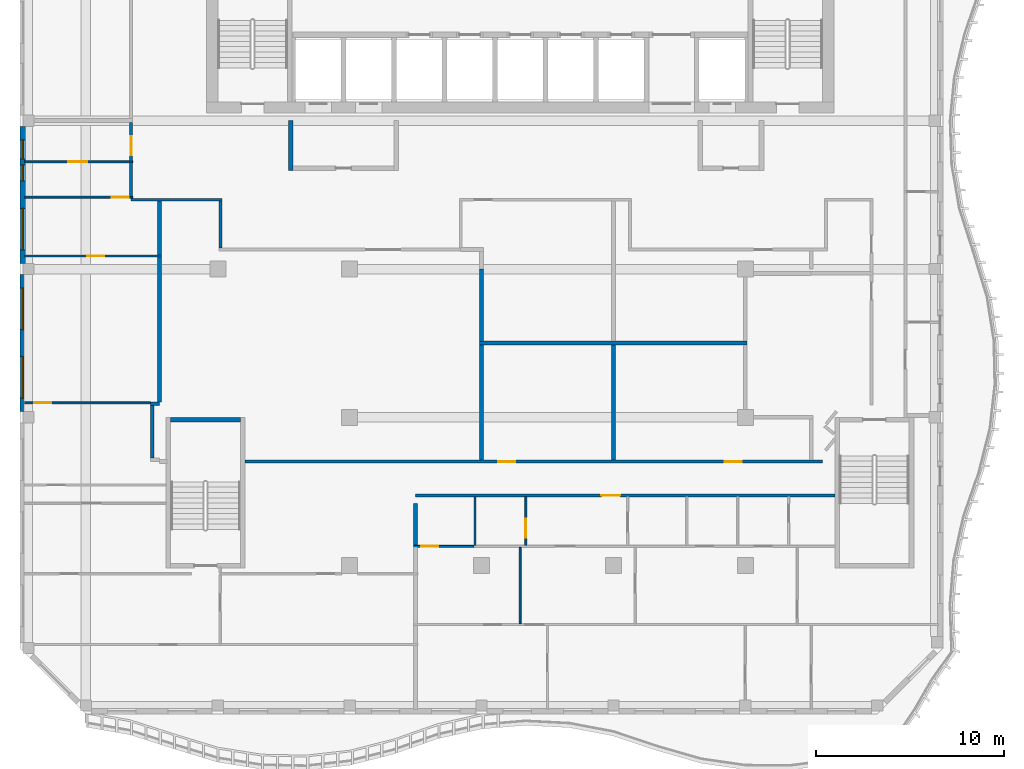
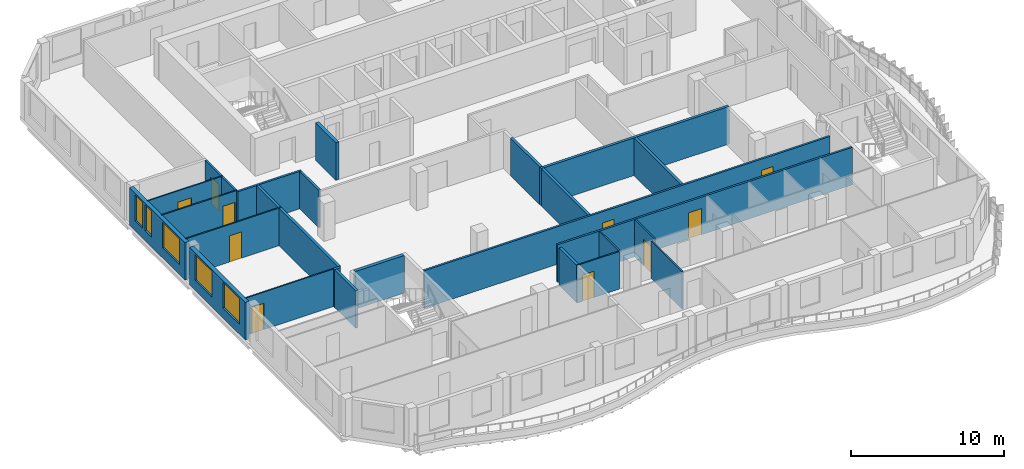
# One storey, part 3 of 14: 27 walls, 10 doors, 5 windows, 15 openings.
"""IFC4 building model written with IfcOpenShell, lengths in metres."""

import ifcopenshell
import ifcopenshell.guid

model = None  # the IFC model being written
_history = None  # IfcOwnerHistory: only IFC2X3 demands one
_inside = {}  # id of a spatial element -> (the spatial element, [elements in it])
_under = {}  # id of a project, library or spatial element -> (it, [spatial elements below it])
_declared = {}  # id of a project -> (the project, [libraries it declares])
_typed = {}  # id of a type object -> (the type object, [elements of that type])
_made_of = {}  # id of a material, layer set ... -> (it, [elements and type objects made of it])


def new_model(schema):
    """Start an empty IFC model of exactly this schema.

    Asked for "IFC4X3", IfcOpenShell would pick the latest addendum, in which some entities
    have other attributes; the version numbers below select the first issue.
    IFC2X3 requires an IfcOwnerHistory on every rooted entity: one is made here for all.
    """
    global model, _history
    if schema == "IFC4X3":
        model = ifcopenshell.file(schema_version=(4, 3, 0, 0))
    else:
        model = ifcopenshell.file(schema=schema)
    _inside.clear()
    _under.clear()
    _declared.clear()
    _typed.clear()
    _made_of.clear()
    _history = None
    if model.schema == "IFC2X3":
        org = make("IfcOrganization", Name="unknown")
        user = make(
            "IfcPersonAndOrganization",
            ThePerson=make("IfcPerson", FamilyName="unknown"),
            TheOrganization=org,
        )
        app = make(
            "IfcApplication",
            ApplicationDeveloper=org,
            Version="unknown",
            ApplicationFullName="unknown",
            ApplicationIdentifier="unknown",
        )
        _history = make(
            "IfcOwnerHistory",
            OwningUser=user,
            OwningApplication=app,
            ChangeAction="ADDED",
            CreationDate=0,
        )
    return model


def make(cls, **values):
    """One entity of the class cls with the attributes given. An attribute that is None is left unset."""
    return model.create_entity(
        cls, **{name: value for name, value in values.items() if value is not None}
    )


def rooted(cls, **values):
    """An entity with a GlobalId (a new one), such as an element, a storey or a relation."""
    return make(cls, GlobalId=ifcopenshell.guid.new(), OwnerHistory=_history, **values)


def si_unit(unit_type, name, prefix=None):
    """IfcSIUnit, for example si_unit("LENGTHUNIT", "METRE", prefix="MILLI")."""
    return make("IfcSIUnit", UnitType=unit_type, Prefix=prefix, Name=name)


def assignment(units):
    """IfcUnitAssignment: the units of a project."""
    return None if units is None else make("IfcUnitAssignment", Units=units)


def point(xyz):
    """IfcCartesianPoint."""
    return None if xyz is None else make("IfcCartesianPoint", Coordinates=xyz)


def direction(xyz):
    """IfcDirection."""
    return None if xyz is None else make("IfcDirection", DirectionRatios=xyz)


def frame(location, z_axis=None, x_axis=None):
    """IfcAxis2Placement3D, a coordinate frame: its origin and axes. An axis left out is left unset."""
    return make(
        "IfcAxis2Placement3D",
        Location=point(location),
        Axis=direction(z_axis),
        RefDirection=direction(x_axis),
    )


def frame_2d(location, x_axis=None):
    """IfcAxis2Placement2D, a coordinate frame in the plane: its origin and x axis."""
    return make(
        "IfcAxis2Placement2D", Location=point(location), RefDirection=direction(x_axis)
    )


def origin():
    """The frame at (0, 0, 0) with its axes left unset."""
    return frame((0.0, 0.0, 0.0))


def place(relative_to, where):
    """IfcLocalPlacement: puts the frame where relative to a parent placement (None: the world)."""
    return make(
        "IfcLocalPlacement", PlacementRelTo=relative_to, RelativePlacement=where
    )


def context(
    kind, dimensions, precision=None, world=None, true_north=None, identifier=None
):
    """IfcGeometricRepresentationContext, for example the 3D "Model" context."""
    return make(
        "IfcGeometricRepresentationContext",
        ContextIdentifier=identifier,
        ContextType=kind,
        CoordinateSpaceDimension=dimensions,
        Precision=precision,
        WorldCoordinateSystem=world,
        TrueNorth=true_north,
    )


def subcontext(parent, identifier, kind, view, scale=None):
    """IfcGeometricRepresentationSubContext, for example "Body" below "Model"."""
    return make(
        "IfcGeometricRepresentationSubContext",
        ContextIdentifier=identifier,
        ContextType=kind,
        ParentContext=parent,
        TargetScale=scale,
        TargetView=view,
    )


def project(units=None, contexts=None):
    """IfcProject with its units and contexts."""
    return rooted(
        "IfcProject",
        Name="project",
        RepresentationContexts=contexts,
        UnitsInContext=assignment(units),
    )


def spatial(cls, under=None, at=None, **own):
    """A site, building, storey or space (cls), placed at a placement, below another one or the project."""
    s = rooted(cls, ObjectPlacement=at, **own)
    if under is not None:
        _under.setdefault(under.id(), (under, []))[1].append(s)
    return s


def profile(cls, at=None, kind="AREA", **sizes):
    """A parametric profile (cls). Its sizes go by their IFC names, for example OverallWidth=200.0."""
    return make(cls, ProfileType=kind, Position=at, **sizes)


def rectangle(**sizes):
    """IfcRectangleProfileDef."""
    return profile("IfcRectangleProfileDef", **sizes)


def extrude(swept, where, along, depth):
    """IfcExtrudedAreaSolid: the profile swept, set in the frame where, extruded along a direction by depth."""
    return make(
        "IfcExtrudedAreaSolid",
        SweptArea=swept,
        Position=where,
        ExtrudedDirection=direction(along),
        Depth=depth,
    )


def shape(context_of_items, identifier, shape_type, items):
    """IfcShapeRepresentation: the items that make up one representation, for example the "Body"."""
    return make(
        "IfcShapeRepresentation",
        ContextOfItems=context_of_items,
        RepresentationIdentifier=identifier,
        RepresentationType=shape_type,
        Items=items,
    )


def source(mapping_origin, context_of_items, identifier, shape_type, items):
    """IfcRepresentationMap: a shape defined once, which mapped items show again and again."""
    return make(
        "IfcRepresentationMap",
        MappingOrigin=mapping_origin,
        MappedRepresentation=shape(context_of_items, identifier, shape_type, items),
    )


def transform(
    local_origin,
    x_axis=None,
    y_axis=None,
    z_axis=None,
    scale=None,
    scale2=None,
    scale3=None,
    uniform=True,
):
    """IfcCartesianTransformationOperator3D, or its non-uniform kind. x_axis, y_axis, z_axis: its Axis1, 2, 3."""
    if uniform:
        return make(
            "IfcCartesianTransformationOperator3D",
            Axis1=direction(x_axis),
            Axis2=direction(y_axis),
            LocalOrigin=point(local_origin),
            Scale=scale,
            Axis3=direction(z_axis),
        )
    return make(
        "IfcCartesianTransformationOperator3DnonUniform",
        Axis1=direction(x_axis),
        Axis2=direction(y_axis),
        LocalOrigin=point(local_origin),
        Scale=scale,
        Axis3=direction(z_axis),
        Scale2=scale2,
        Scale3=scale3,
    )


def mapped(mapping_source, mapping_target):
    """IfcMappedItem: shows the shape of a source again, moved by a transform."""
    return make(
        "IfcMappedItem", MappingSource=mapping_source, MappingTarget=mapping_target
    )


def material(Name=None, Category=None):
    """IfcMaterial."""
    return make("IfcMaterial", Name=Name, Category=Category)


def layer(
    of_material, thickness, ventilated=None, Name=None, Category=None, Priority=None
):
    """IfcMaterialLayer: one layer of a wall or slab, of a material (None: an air gap)."""
    return make(
        "IfcMaterialLayer",
        Material=of_material,
        LayerThickness=thickness,
        IsVentilated=ventilated,
        Name=Name,
        Category=Category,
        Priority=Priority,
    )


def layer_set(layers, Name=None):
    """IfcMaterialLayerSet."""
    return make("IfcMaterialLayerSet", MaterialLayers=layers, LayerSetName=Name)


def made_of(thing, what):
    """Note that an element or type object is made of a material, layer set ...; save() writes the relation."""
    if what is not None:
        _made_of.setdefault(what.id(), (what, []))[1].append(thing)
    return thing


def type_object(cls, material=None, **own):
    """A type object (cls), such as IfcWallType, which elements share."""
    return made_of(rooted(cls, **own), material)


def element(
    cls,
    number,
    at=None,
    inside=None,
    cuts=None,
    type_object=None,
    material=None,
    context=None,
    identifier="Body",
    shape_type=None,
    held_by="IfcProductDefinitionShape",
    body=None,
    shapes=None,
    **own,
):
    """One element of the class cls, such as IfcWall. Its Tag is "e" and its number.

    at: its placement. inside: the storey or other place that contains it. cuts: it is an
    opening in that element (IfcRelVoidsElement). A single representation is given by context,
    identifier, shape_type and body (its items); several are given by shapes. held_by: the class
    of the entity that holds the representations. save() writes the other relations.
    """
    e = rooted(cls, Tag="e%d" % number, ObjectPlacement=at, **own)
    if body is not None:
        shapes = [shape(context, identifier, shape_type, body)]
    if shapes is not None:
        e.Representation = make(held_by, Representations=shapes)
    if inside is not None:
        _inside.setdefault(inside.id(), (inside, []))[1].append(e)
    if cuts is not None:
        rooted(
            "IfcRelVoidsElement", RelatingBuildingElement=cuts, RelatedOpeningElement=e
        )
    if type_object is not None:
        _typed.setdefault(type_object.id(), (type_object, []))[1].append(e)
    return made_of(e, material)


def fill(opening, filler):
    """IfcRelFillsElement: the door or window that sits in an opening."""
    return rooted(
        "IfcRelFillsElement",
        RelatingOpeningElement=opening,
        RelatedBuildingElement=filler,
    )


def aggregate(whole, parts):
    """IfcRelAggregates: a whole, such as a stair, and the parts it consists of."""
    return rooted("IfcRelAggregates", RelatingObject=whole, RelatedObjects=parts)


def save(model, path):
    """Write the relations noted so far, then the file.

    IfcRelAggregates (storeys below a building ...), IfcRelContainedInSpatialStructure (elements
    in a storey), IfcRelDefinesByType, IfcRelAssociatesMaterial and IfcRelDeclares: one each for
    every whole, place, type object, material and project.
    """
    for whole, parts in _under.values():
        aggregate(whole, parts)
    for where, things in _inside.values():
        rooted(
            "IfcRelContainedInSpatialStructure",
            RelatedElements=things,
            RelatingStructure=where,
        )
    for kind, things in _typed.values():
        rooted("IfcRelDefinesByType", RelatedObjects=things, RelatingType=kind)
    for what, things in _made_of.values():
        rooted("IfcRelAssociatesMaterial", RelatedObjects=things, RelatingMaterial=what)
    for by, libraries in _declared.values():
        rooted("IfcRelDeclares", RelatingContext=by, RelatedDefinitions=libraries)
    model.write(path)


model = new_model("IFC4")

# Units and contexts
model_context = context("Model", 3, precision=1e-05, world=origin(), true_north=direction((0.0, 1.0)))
body_context = subcontext(model_context, "Body", "Model", "MODEL_VIEW")
ifc_project = project(units=[si_unit("LENGTHUNIT", "METRE"), si_unit("AREAUNIT", "SQUARE_METRE"), si_unit("VOLUMEUNIT", "CUBIC_METRE"), si_unit("PLANEANGLEUNIT", "RADIAN"), si_unit("MASSUNIT", "GRAM", prefix="KILO")], contexts=[model_context])

# Site, building, storey
site_placement = place(None, origin())
site = spatial("IfcSite", under=ifc_project, at=site_placement, CompositionType="ELEMENT")
building_placement = place(site_placement, origin())
building = spatial("IfcBuilding", under=site, at=building_placement, Name="Kilnfold Tower and Market Hall", CompositionType="ELEMENT")
storey_placement = place(building_placement, frame((0.0, 0.0, 315.39990234375)))
storey = spatial("IfcBuildingStorey", under=building, at=storey_placement, Name="L79", CompositionType="ELEMENT", Elevation=315.39990234375)

# Walls
ifc_material_1 = material(Name="Gypsum board on steel studs", Category="steel")
ifc_layer_1 = layer(ifc_material_1, 0.14990234375)
ifc_layer_set_1 = layer_set([ifc_layer_1], Name="Gypsum board on steel studs")
wall_type_1 = type_object("IfcWallType", Name="WALL CORRIDOR 150", PredefinedType="PARTITIONING", material=ifc_layer_set_1)
wall_1_placement = place(storey_placement, frame((-19.60009765625, 3.800048828125, 0.0), z_axis=(0.0, 0.0, 1.0), x_axis=(1.0, 0.0, 0.0)))
element("IfcWall", 1, at=wall_1_placement, inside=storey, type_object=wall_type_1, Name="Partition LY47.1", PredefinedType="PARTITIONING", context=body_context, shape_type="SweptSolid", body=[
    extrude(rectangle(XDim=4.815185546875, YDim=0.14990234375, at=frame_2d((2.40771484375, 0.0))), origin(), (0.0, 0.0, 1.0), 3.0),
])
wall_2_placement = place(storey_placement, frame((-19.60009765625, 3.97802734375, 0.0), z_axis=(0.0, 0.0, 1.0), x_axis=(0.0, 1.0, 0.0)))
element("IfcWall", 2, at=wall_2_placement, inside=storey, type_object=wall_type_1, Name="Partition LY47.2", PredefinedType="PARTITIONING", context=body_context, shape_type="SweptSolid", body=[
    extrude(rectangle(XDim=1.7939453125, YDim=0.14990234375, at=frame_2d((0.89697265625, 0.0))), origin(), (0.0, 0.0, 1.0), 3.0),
])

# Wall, opening, door
wall_3_placement = place(storey_placement, frame((-19.60009765625, 5.85205078125, 0.0), z_axis=(0.0, 0.0, 1.0), x_axis=(0.0, 1.0, 0.0)))
wall_3 = element("IfcWall", 3, at=wall_3_placement, inside=storey, type_object=wall_type_1, Name="Partition LY47.3", PredefinedType="PARTITIONING", context=body_context, shape_type="SweptSolid", body=[
    extrude(rectangle(XDim=2.057861328125, YDim=0.14990234375, at=frame_2d((1.02880859375, 0.0))), origin(), (0.0, 0.0, 1.0), 3.0),
])
opening_1_placement = place(wall_3_placement, frame((0.31005859375, 0.0, 0.0)))
opening_1 = element("IfcOpeningElement", 4, at=opening_1_placement, cuts=wall_3, Name="Opening D1", PredefinedType="OPENING", context=body_context, shape_type="SweptSolid", body=[
    extrude(rectangle(XDim=1.0, YDim=2.10009765625, at=frame_2d((0.5, 1.050048828125))), frame((0.0, 0.0849609375, 0.0), z_axis=(0.0, -1.0, 0.0), x_axis=(1.0, 0.0, 0.0)), (0.0, 0.0, 1.0), 0.169921875),
])
ifc_material_2 = material(Name="Timber veneer door leaf in steel frame", Category="steel")
door_type_1 = type_object("IfcDoorType", Name="DOOR ENTRY 1000 X2100", OperationType="NOTDEFINED", PredefinedType="DOOR", material=ifc_material_2)
door_1_placement = place(opening_1_placement, origin())
door_1 = element("IfcDoor", 5, at=door_1_placement, inside=storey, type_object=door_type_1, Name="Door D1", OperationType="SINGLE_SWING_RIGHT", OverallHeight=2.10009765625, OverallWidth=1.0, PredefinedType="DOOR", context=body_context, shape_type="SweptSolid", body=[
    extrude(rectangle(XDim=1.0, YDim=2.10009765625, at=frame_2d((0.5, 1.050048828125))), frame((0.0, 0.02490234375, 0.0), z_axis=(0.0, -1.0, 0.0), x_axis=(1.0, 0.0, 0.0)), (0.0, 0.0, 1.0), 0.050048828125),
])
fill(opening_1, door_1)

wall_4_placement = place(storey_placement, frame((-4.510009765625, -11.89990234375, 0.0), z_axis=(0.0, 0.0, 1.0), x_axis=(1.0, 0.0, 0.0)))
wall_4 = element("IfcWall", 6, at=wall_4_placement, inside=storey, type_object=wall_type_1, Name="Partition LY47.4", PredefinedType="PARTITIONING", context=body_context, shape_type="SweptSolid", body=[
    extrude(rectangle(XDim=22.260009765625, YDim=0.14990234375, at=frame_2d((11.1298828125, 0.0))), origin(), (0.0, 0.0, 1.0), 3.0),
])
opening_2_placement = place(wall_4_placement, frame((9.865966796875, 0.0, 0.0)))
opening_2 = element("IfcOpeningElement", 7, at=opening_2_placement, cuts=wall_4, Name="Opening D1", PredefinedType="OPENING", context=body_context, shape_type="SweptSolid", body=[
    extrude(rectangle(XDim=1.0, YDim=2.10009765625, at=frame_2d((0.5, 1.050048828125))), frame((0.0, 0.0849609375, 0.0), z_axis=(0.0, -1.0, 0.0), x_axis=(1.0, 0.0, 0.0)), (0.0, 0.0, 1.0), 0.169921875),
])
door_2_placement = place(opening_2_placement, origin())
door_2 = element("IfcDoor", 8, at=door_2_placement, inside=storey, type_object=door_type_1, Name="Door D1", OperationType="SINGLE_SWING_LEFT", OverallHeight=2.10009765625, OverallWidth=1.0, PredefinedType="DOOR", context=body_context, shape_type="SweptSolid", body=[
    extrude(rectangle(XDim=1.0, YDim=2.10009765625, at=frame_2d((0.5, 1.050048828125))), frame((0.0, 0.02490234375, 0.0), z_axis=(0.0, -1.0, 0.0), x_axis=(1.0, 0.0, 0.0)), (0.0, 0.0, 1.0), 0.050048828125),
])
fill(opening_2, door_2)

# Wall
wall_5_placement = place(storey_placement, frame((-14.860107421875, 3.72509765625, 0.0), z_axis=(0.0, 0.0, 1.0), x_axis=(0.0, -1.0, 0.0)))
element("IfcWall", 9, at=wall_5_placement, inside=storey, type_object=wall_type_1, Name="Partition LY47.13", PredefinedType="PARTITIONING", context=body_context, shape_type="SweptSolid", body=[
    extrude(rectangle(XDim=2.5, YDim=0.14990234375, at=frame_2d((1.25, 0.0))), origin(), (0.0, 0.0, 1.0), 3.0),
])

# Wall, openings, doors
wall_6_placement = place(storey_placement, frame((-13.550048828125, -10.10009765625, 0.0), z_axis=(0.0, 0.0, 1.0), x_axis=(1.0, 0.0, 0.0)))
wall_6 = element("IfcWall", 10, at=wall_6_placement, inside=storey, type_object=wall_type_1, Name="Partition LY47.14", PredefinedType="PARTITIONING", context=body_context, shape_type="SweptSolid", body=[
    extrude(rectangle(XDim=30.650146484375, YDim=0.14990234375, at=frame_2d((15.3251953125, 0.0))), origin(), (0.0, 0.0, 1.0), 3.0),
])
opening_3_placement = place(wall_6_placement, frame((13.44189453125, 0.0, 0.0)))
opening_3 = element("IfcOpeningElement", 11, at=opening_3_placement, cuts=wall_6, Name="Opening D2", PredefinedType="OPENING", context=body_context, shape_type="SweptSolid", body=[
    extrude(rectangle(XDim=0.89990234375, YDim=2.10009765625, at=frame_2d((0.449951171875, 1.050048828125))), frame((0.0, 0.0849609375, 0.0), z_axis=(0.0, -1.0, 0.0), x_axis=(1.0, 0.0, 0.0)), (0.0, 0.0, 1.0), 0.169921875),
])
opening_4_placement = place(wall_6_placement, frame((25.451904296875, 0.0, 0.0)))
opening_4 = element("IfcOpeningElement", 12, at=opening_4_placement, cuts=wall_6, Name="Opening D2", PredefinedType="OPENING", context=body_context, shape_type="SweptSolid", body=[
    extrude(rectangle(XDim=0.89990234375, YDim=2.10009765625, at=frame_2d((0.449951171875, 1.050048828125))), frame((0.0, 0.0849609375, 0.0), z_axis=(0.0, -1.0, 0.0), x_axis=(1.0, 0.0, 0.0)), (0.0, 0.0, 1.0), 0.169921875),
])
ifc_material_3 = material(Name="Timber veneer door leaf in steel frame", Category="steel")
door_type_2 = type_object("IfcDoorType", Name="DOOR ROOM 900 X2100", OperationType="NOTDEFINED", PredefinedType="DOOR", material=ifc_material_3)
door_3_placement = place(opening_3_placement, origin())
door_3 = element("IfcDoor", 13, at=door_3_placement, inside=storey, type_object=door_type_2, Name="Door D2", OperationType="SINGLE_SWING_LEFT", OverallHeight=2.10009765625, OverallWidth=0.89990234375, PredefinedType="DOOR", context=body_context, shape_type="SweptSolid", body=[
    extrude(rectangle(XDim=0.89990234375, YDim=2.10009765625, at=frame_2d((0.449951171875, 1.050048828125))), frame((0.0, 0.02490234375, 0.0), z_axis=(0.0, -1.0, 0.0), x_axis=(1.0, 0.0, 0.0)), (0.0, 0.0, 1.0), 0.050048828125),
])
fill(opening_3, door_3)
door_4_placement = place(opening_4_placement, origin())
door_4 = element("IfcDoor", 14, at=door_4_placement, inside=storey, type_object=door_type_2, Name="Door D2", OperationType="SINGLE_SWING_RIGHT", OverallHeight=2.10009765625, OverallWidth=0.89990234375, PredefinedType="DOOR", context=body_context, shape_type="SweptSolid", body=[
    extrude(rectangle(XDim=0.89990234375, YDim=2.10009765625, at=frame_2d((0.449951171875, 1.050048828125))), frame((0.0, 0.02490234375, 0.0), z_axis=(0.0, -1.0, 0.0), x_axis=(1.0, 0.0, 0.0)), (0.0, 0.0, 1.0), 0.050048828125),
])
fill(opening_4, door_4)

# Wall, opening, door
ifc_material_4 = material(Name="Gypsum board on steel studs", Category="steel")
ifc_layer_2 = layer(ifc_material_4, 0.10009765625)
ifc_layer_set_2 = layer_set([ifc_layer_2], Name="Gypsum board on steel studs")
wall_type_2 = type_object("IfcWallType", Name="WALL PARTITION 100", PredefinedType="PARTITIONING", material=ifc_layer_set_2)
wall_7_placement = place(storey_placement, frame((-18.58203125, -6.98095703125, 0.0), z_axis=(0.0, 0.0, 1.0), x_axis=(-1.0, 0.0, 0.0)))
wall_7 = element("IfcWall", 15, at=wall_7_placement, inside=storey, type_object=wall_type_2, Name="Partition LY47.39", PredefinedType="PARTITIONING", context=body_context, shape_type="SweptSolid", body=[
    extrude(rectangle(XDim=6.66796875, YDim=0.10009765625, at=frame_2d((3.333984375, 0.0))), origin(), (0.0, 0.0, 1.0), 3.0),
])
opening_5_placement = place(wall_7_placement, frame((5.264892578125, 0.0, 0.0)))
opening_5 = element("IfcOpeningElement", 16, at=opening_5_placement, cuts=wall_7, Name="Opening D2", PredefinedType="OPENING", context=body_context, shape_type="SweptSolid", body=[
    extrude(rectangle(XDim=0.89990234375, YDim=2.10009765625, at=frame_2d((0.449951171875, 1.050048828125))), frame((0.0, 0.06005859375, 0.0), z_axis=(0.0, -1.0, 0.0), x_axis=(1.0, 0.0, 0.0)), (0.0, 0.0, 1.0), 0.1201171875),
])
door_5_placement = place(opening_5_placement, origin())
door_5 = element("IfcDoor", 17, at=door_5_placement, inside=storey, type_object=door_type_2, Name="Door D2", OperationType="SINGLE_SWING_RIGHT", OverallHeight=2.10009765625, OverallWidth=0.89990234375, PredefinedType="DOOR", context=body_context, shape_type="SweptSolid", body=[
    extrude(rectangle(XDim=0.89990234375, YDim=2.10009765625, at=frame_2d((0.449951171875, 1.050048828125))), frame((0.0, 0.02490234375, 0.0), z_axis=(0.0, -1.0, 0.0), x_axis=(1.0, 0.0, 0.0)), (0.0, 0.0, 1.0), 0.050048828125),
])
fill(opening_5, door_5)

wall_8_placement = place(storey_placement, frame((-18.0, 0.81201171875, 0.0), z_axis=(0.0, 0.0, 1.0), x_axis=(-1.0, 0.0, 0.0)))
wall_8 = element("IfcWall", 18, at=wall_8_placement, inside=storey, type_object=wall_type_2, Name="Partition LY47.44", PredefinedType="PARTITIONING", context=body_context, shape_type="SweptSolid", body=[
    extrude(rectangle(XDim=7.25, YDim=0.10009765625, at=frame_2d((3.625, 0.0))), origin(), (0.0, 0.0, 1.0), 3.0),
])
opening_6_placement = place(wall_8_placement, frame((3.02392578125, 0.0, 0.0)))
opening_6 = element("IfcOpeningElement", 19, at=opening_6_placement, cuts=wall_8, Name="Opening D2", PredefinedType="OPENING", context=body_context, shape_type="SweptSolid", body=[
    extrude(rectangle(XDim=0.89990234375, YDim=2.10009765625, at=frame_2d((0.449951171875, 1.050048828125))), frame((0.0, 0.06005859375, 0.0), z_axis=(0.0, -1.0, 0.0), x_axis=(1.0, 0.0, 0.0)), (0.0, 0.0, 1.0), 0.1201171875),
])
door_6_placement = place(opening_6_placement, origin())
door_6 = element("IfcDoor", 20, at=door_6_placement, inside=storey, type_object=door_type_2, Name="Door D2", OperationType="SINGLE_SWING_RIGHT", OverallHeight=2.10009765625, OverallWidth=0.89990234375, PredefinedType="DOOR", context=body_context, shape_type="SweptSolid", body=[
    extrude(rectangle(XDim=0.89990234375, YDim=2.10009765625, at=frame_2d((0.449951171875, 1.050048828125))), frame((0.0, 0.02490234375, 0.0), z_axis=(0.0, -1.0, 0.0), x_axis=(1.0, 0.0, 0.0)), (0.0, 0.0, 1.0), 0.050048828125),
])
fill(opening_6, door_6)

wall_9_placement = place(storey_placement, frame((-19.527099609375, 3.93798828125, 0.0), z_axis=(0.0, 0.0, 1.0), x_axis=(-1.0, 0.0, 0.0)))
wall_9 = element("IfcWall", 21, at=wall_9_placement, inside=storey, type_object=wall_type_2, Name="Partition LY47.46", PredefinedType="PARTITIONING", context=body_context, shape_type="SweptSolid", body=[
    extrude(rectangle(XDim=5.722900390625, YDim=0.10009765625, at=frame_2d((2.861328125, 0.0))), origin(), (0.0, 0.0, 1.0), 3.0),
])
opening_7_placement = place(wall_9_placement, frame((0.199951171875, 0.0, 0.0)))
opening_7 = element("IfcOpeningElement", 22, at=opening_7_placement, cuts=wall_9, Name="Opening D2", PredefinedType="OPENING", context=body_context, shape_type="SweptSolid", body=[
    extrude(rectangle(XDim=0.89990234375, YDim=2.10009765625, at=frame_2d((0.449951171875, 1.050048828125))), frame((0.0, 0.06005859375, 0.0), z_axis=(0.0, -1.0, 0.0), x_axis=(1.0, 0.0, 0.0)), (0.0, 0.0, 1.0), 0.1201171875),
])
door_7_placement = place(opening_7_placement, origin())
door_7 = element("IfcDoor", 23, at=door_7_placement, inside=storey, type_object=door_type_2, Name="Door D2", OperationType="SINGLE_SWING_RIGHT", OverallHeight=2.10009765625, OverallWidth=0.89990234375, PredefinedType="DOOR", context=body_context, shape_type="SweptSolid", body=[
    extrude(rectangle(XDim=0.89990234375, YDim=2.10009765625, at=frame_2d((0.449951171875, 1.050048828125))), frame((0.0, 0.02490234375, 0.0), z_axis=(0.0, -1.0, 0.0), x_axis=(1.0, 0.0, 0.0)), (0.0, 0.0, 1.0), 0.050048828125),
])
fill(opening_7, door_7)

wall_10_placement = place(storey_placement, frame((-19.527099609375, 5.81201171875, 0.0), z_axis=(0.0, 0.0, 1.0), x_axis=(-1.0, 0.0, 0.0)))
wall_10 = element("IfcWall", 24, at=wall_10_placement, inside=storey, type_object=wall_type_2, Name="Partition LY47.48", PredefinedType="PARTITIONING", context=body_context, shape_type="SweptSolid", body=[
    extrude(rectangle(XDim=5.722900390625, YDim=0.10009765625, at=frame_2d((2.861328125, 0.0))), origin(), (0.0, 0.0, 1.0), 3.0),
])
opening_8_placement = place(wall_10_placement, frame((2.412109375, 0.0, 0.0)))
opening_8 = element("IfcOpeningElement", 25, at=opening_8_placement, cuts=wall_10, Name="Opening D1", PredefinedType="OPENING", context=body_context, shape_type="SweptSolid", body=[
    extrude(rectangle(XDim=1.0, YDim=2.10009765625, at=frame_2d((0.5, 1.050048828125))), frame((0.0, 0.06005859375, 0.0), z_axis=(0.0, -1.0, 0.0), x_axis=(1.0, 0.0, 0.0)), (0.0, 0.0, 1.0), 0.1201171875),
])
door_8_placement = place(opening_8_placement, origin())
door_8 = element("IfcDoor", 26, at=door_8_placement, inside=storey, type_object=door_type_1, Name="Door D1", OperationType="SINGLE_SWING_RIGHT", OverallHeight=2.10009765625, OverallWidth=1.0, PredefinedType="DOOR", context=body_context, shape_type="SweptSolid", body=[
    extrude(rectangle(XDim=1.0, YDim=2.10009765625, at=frame_2d((0.5, 1.050048828125))), frame((0.0, 0.02490234375, 0.0), z_axis=(0.0, -1.0, 0.0), x_axis=(1.0, 0.0, 0.0)), (0.0, 0.0, 1.0), 0.050048828125),
])
fill(opening_8, door_8)

# Wall
wall_11_placement = place(storey_placement, frame((1.050048828125, -18.699951171875, 0.0), z_axis=(0.0, 0.0, 1.0), x_axis=(0.0, 1.0, 0.0)))
element("IfcWall", 27, at=wall_11_placement, inside=storey, type_object=wall_type_2, Name="Partition LY47.50", PredefinedType="PARTITIONING", context=body_context, shape_type="SweptSolid", body=[
    extrude(rectangle(XDim=4.0478515625, YDim=0.10009765625, at=frame_2d((2.02392578125, 0.0))), origin(), (0.0, 0.0, 1.0), 3.0),
])

# Wall, opening, door
wall_12_placement = place(storey_placement, frame((-4.60009765625, -14.60205078125, 0.0), z_axis=(0.0, 0.0, 1.0), x_axis=(1.0, 0.0, 0.0)))
wall_12 = element("IfcWall", 28, at=wall_12_placement, inside=storey, type_object=wall_type_2, Name="Partition LY47.51", PredefinedType="PARTITIONING", context=body_context, shape_type="SweptSolid", body=[
    extrude(rectangle(XDim=3.190185546875, YDim=0.10009765625, at=frame_2d((1.59521484375, 0.0))), origin(), (0.0, 0.0, 1.0), 3.0),
])
opening_9_placement = place(wall_12_placement, frame((0.40087890625, 0.0, 0.0)))
opening_9 = element("IfcOpeningElement", 29, at=opening_9_placement, cuts=wall_12, Name="Opening D2", PredefinedType="OPENING", context=body_context, shape_type="SweptSolid", body=[
    extrude(rectangle(XDim=0.89990234375, YDim=2.10009765625, at=frame_2d((0.449951171875, 1.050048828125))), frame((0.0, 0.06005859375, 0.0), z_axis=(0.0, -1.0, 0.0), x_axis=(1.0, 0.0, 0.0)), (0.0, 0.0, 1.0), 0.1201171875),
])
door_9_placement = place(opening_9_placement, origin())
door_9 = element("IfcDoor", 30, at=door_9_placement, inside=storey, type_object=door_type_2, Name="Door D2", OperationType="SINGLE_SWING_LEFT", OverallHeight=2.10009765625, OverallWidth=0.89990234375, PredefinedType="DOOR", context=body_context, shape_type="SweptSolid", body=[
    extrude(rectangle(XDim=0.89990234375, YDim=2.10009765625, at=frame_2d((0.449951171875, 1.050048828125))), frame((0.0, 0.02490234375, 0.0), z_axis=(0.0, -1.0, 0.0), x_axis=(1.0, 0.0, 0.0)), (0.0, 0.0, 1.0), 0.050048828125),
])
fill(opening_9, door_9)

# Wall
wall_13_placement = place(storey_placement, frame((-1.35009765625, -14.550048828125, 0.0), z_axis=(0.0, 0.0, 1.0), x_axis=(0.0, 1.0, 0.0)))
element("IfcWall", 31, at=wall_13_placement, inside=storey, type_object=wall_type_2, Name="Partition LY47.57", PredefinedType="PARTITIONING", context=body_context, shape_type="SweptSolid", body=[
    extrude(rectangle(XDim=2.572998046875, YDim=0.10009765625, at=frame_2d((1.28662109375, 0.0))), origin(), (0.0, 0.0, 1.0), 3.0),
])

# Wall, opening, door
wall_14_placement = place(storey_placement, frame((1.35009765625, -14.550048828125, 0.0), z_axis=(0.0, 0.0, 1.0), x_axis=(0.0, 1.0, 0.0)))
wall_14 = element("IfcWall", 32, at=wall_14_placement, inside=storey, type_object=wall_type_2, Name="Partition LY47.58", PredefinedType="PARTITIONING", context=body_context, shape_type="SweptSolid", body=[
    extrude(rectangle(XDim=2.572998046875, YDim=0.10009765625, at=frame_2d((1.28662109375, 0.0))), origin(), (0.0, 0.0, 1.0), 3.0),
])
opening_10_placement = place(wall_14_placement, frame((0.4130859375, 0.0, 0.0)))
opening_10 = element("IfcOpeningElement", 33, at=opening_10_placement, cuts=wall_14, Name="Opening D1", PredefinedType="OPENING", context=body_context, shape_type="SweptSolid", body=[
    extrude(rectangle(XDim=1.0, YDim=2.10009765625, at=frame_2d((0.5, 1.050048828125))), frame((0.0, 0.06005859375, 0.0), z_axis=(0.0, -1.0, 0.0), x_axis=(1.0, 0.0, 0.0)), (0.0, 0.0, 1.0), 0.1201171875),
])
door_10_placement = place(opening_10_placement, origin())
door_10 = element("IfcDoor", 34, at=door_10_placement, inside=storey, type_object=door_type_1, Name="Door D1", OperationType="SINGLE_SWING_RIGHT", OverallHeight=2.10009765625, OverallWidth=1.0, PredefinedType="DOOR", context=body_context, shape_type="SweptSolid", body=[
    extrude(rectangle(XDim=1.0, YDim=2.10009765625, at=frame_2d((0.5, 1.050048828125))), frame((0.0, 0.02490234375, 0.0), z_axis=(0.0, -1.0, 0.0), x_axis=(1.0, 0.0, 0.0)), (0.0, 0.0, 1.0), 0.050048828125),
])
fill(opening_10, door_10)

# Walls
ifc_material_5 = material(Name="Gypsum board on steel studs", Category="steel")
ifc_layer_3 = layer(ifc_material_5, 0.199951171875)
ifc_layer_set_3 = layer_set([ifc_layer_3], Name="Gypsum board on steel studs")
wall_type_3 = type_object("IfcWallType", Name="WALL PARTY 200", PredefinedType="PARTITIONING", material=ifc_layer_set_3)
wall_15_placement = place(storey_placement, frame((-4.5, -14.56005859375, 0.0), z_axis=(0.0, 0.0, 1.0), x_axis=(0.0, 1.0, 0.0)))
element("IfcWall", 35, at=wall_15_placement, inside=storey, type_object=wall_type_3, Name="Partition LY47.37", PredefinedType="PARTITIONING", context=body_context, shape_type="SweptSolid", body=[
    extrude(rectangle(XDim=2.248046875, YDim=0.199951171875, at=frame_2d((1.1240234375, 0.0))), origin(), (0.0, 0.0, 1.0), 3.0),
])
wall_16_placement = place(storey_placement, frame((-18.58203125, -7.029052734375, 0.0), z_axis=(0.0, 0.0, 1.0), x_axis=(1.0, 0.0, 0.0)))
element("IfcWall", 36, at=wall_16_placement, inside=storey, type_object=wall_type_3, Name="Partition LY47.40", PredefinedType="PARTITIONING", context=body_context, shape_type="SweptSolid", body=[
    extrude(rectangle(XDim=0.48193359375, YDim=0.199951171875, at=frame_2d((0.240966796875, 0.0))), origin(), (0.0, 0.0, 1.0), 3.0),
])
wall_17_placement = place(storey_placement, frame((-18.48193359375, -9.902099609375, 0.0), z_axis=(0.0, 0.0, 1.0), x_axis=(0.0, 1.0, 0.0)))
element("IfcWall", 37, at=wall_17_placement, inside=storey, type_object=wall_type_3, Name="Partition LY47.41", PredefinedType="PARTITIONING", context=body_context, shape_type="SweptSolid", body=[
    extrude(rectangle(XDim=2.773193359375, YDim=0.199951171875, at=frame_2d((1.38671875, 0.0))), origin(), (0.0, 0.0, 1.0), 3.0),
])
wall_18_placement = place(storey_placement, frame((-18.10009765625, -6.930908203125, 0.0), z_axis=(0.0, 0.0, 1.0), x_axis=(0.0, 1.0, 0.0)))
element("IfcWall", 38, at=wall_18_placement, inside=storey, type_object=wall_type_3, Name="Partition LY47.45", PredefinedType="PARTITIONING", context=body_context, shape_type="SweptSolid", body=[
    extrude(rectangle(XDim=7.69287109375, YDim=0.199951171875, at=frame_2d((3.846435546875, 0.0))), origin(), (0.0, 0.0, 1.0), 3.0),
])
wall_19_placement = place(storey_placement, frame((-18.10009765625, 0.862060546875, 0.0), z_axis=(0.0, 0.0, 1.0), x_axis=(0.0, 1.0, 0.0)))
element("IfcWall", 39, at=wall_19_placement, inside=storey, type_object=wall_type_3, Name="Partition LY47.47", PredefinedType="PARTITIONING", context=body_context, shape_type="SweptSolid", body=[
    extrude(rectangle(XDim=2.86083984375, YDim=0.199951171875, at=frame_2d((1.430419921875, 0.0))), origin(), (0.0, 0.0, 1.0), 3.0),
])
wall_20_placement = place(storey_placement, frame((-1.0, -3.721923828125, 0.0), z_axis=(0.0, 0.0, 1.0), x_axis=(0.0, 1.0, 0.0)))
element("IfcWall", 40, at=wall_20_placement, inside=storey, type_object=wall_type_3, Name="Partition LY47.72", PredefinedType="PARTITIONING", context=body_context, shape_type="SweptSolid", body=[
    extrude(rectangle(XDim=3.844970703125, YDim=0.199951171875, at=frame_2d((1.92236328125, 0.0))), origin(), (0.0, 0.0, 1.0), 3.0),
])
wall_21_placement = place(storey_placement, frame((-1.0, -10.02294921875, 0.0), z_axis=(0.0, 0.0, 1.0), x_axis=(0.0, 1.0, 0.0)))
element("IfcWall", 41, at=wall_21_placement, inside=storey, type_object=wall_type_3, Name="Partition LY47.73", PredefinedType="PARTITIONING", context=body_context, shape_type="SweptSolid", body=[
    extrude(rectangle(XDim=6.120849609375, YDim=0.199951171875, at=frame_2d((3.060546875, 0.0))), origin(), (0.0, 0.0, 1.0), 3.0),
])
wall_22_placement = place(storey_placement, frame((-1.10009765625, -3.81201171875, 0.0), z_axis=(0.0, 0.0, 1.0), x_axis=(1.0, 0.0, 0.0)))
element("IfcWall", 42, at=wall_22_placement, inside=storey, type_object=wall_type_3, Name="Partition LY47.74", PredefinedType="PARTITIONING", context=body_context, shape_type="SweptSolid", body=[
    extrude(rectangle(XDim=14.2001953125, YDim=0.199951171875, at=frame_2d((7.10009765625, 0.0))), origin(), (0.0, 0.0, 1.0), 3.0),
])
wall_23_placement = place(storey_placement, frame((6.0, -10.02294921875, 0.0), z_axis=(0.0, 0.0, 1.0), x_axis=(0.0, 1.0, 0.0)))
element("IfcWall", 43, at=wall_23_placement, inside=storey, type_object=wall_type_3, Name="Partition LY47.76", PredefinedType="PARTITIONING", context=body_context, shape_type="SweptSolid", body=[
    extrude(rectangle(XDim=6.11083984375, YDim=0.199951171875, at=frame_2d((3.055419921875, 0.0))), origin(), (0.0, 0.0, 1.0), 3.0),
])
ifc_material_6 = material(Name="Concrete C50", Category="concrete")
ifc_layer_4 = layer(ifc_material_6, 0.25)
ifc_layer_set_4 = layer_set([ifc_layer_4], Name="Concrete C50")
wall_type_4 = type_object("IfcWallType", Name="CORE WALL 250 C50", PredefinedType="SHEAR", material=ifc_layer_set_4)
shared_shape_1 = source(origin(), body_context, "Body", "SweptSolid", [
    extrude(rectangle(XDim=3.699951171875, YDim=0.25, at=frame_2d((1.85009765625, 0.0))), origin(), (0.0, 0.0, 1.0), 3.0),
])
wall_24_placement = place(storey_placement, frame((-17.5, -7.875, 0.0), z_axis=(0.0, 0.0, 1.0), x_axis=(1.0, 0.0, 0.0)))
element("IfcWall", 44, at=wall_24_placement, inside=storey, type_object=wall_type_4, Name="Stair enclosure ST3", PredefinedType="SHEAR", context=body_context, shape_type="MappedRepresentation", body=[
    mapped(shared_shape_1, transform((0.0, 0.0, 0.0))),
])

# Wall, openings, windows
ifc_material_7 = material(Name="Precast concrete C50/60", Category="concrete")
ifc_layer_5 = layer(ifc_material_7, 0.300048828125)
ifc_layer_set_5 = layer_set([ifc_layer_5], Name="Precast concrete C50/60")
wall_type_5 = type_object("IfcWallType", Name="PRECAST WALL 300", PredefinedType="SOLIDWALL", material=ifc_layer_set_5)
shared_shape_2 = source(origin(), body_context, "Body", "SweptSolid", [
    extrude(rectangle(XDim=7.27490234375, YDim=0.300048828125, at=frame_2d((3.637451171875, 0.0))), origin(), (0.0, 0.0, 1.0), 3.0),
])
wall_25_placement = place(storey_placement, frame((-25.35009765625, 7.699951171875, 0.0), z_axis=(0.0, 0.0, 1.0), x_axis=(0.0, -1.0, 0.0)))
wall_25 = element("IfcWall", 45, at=wall_25_placement, inside=storey, type_object=wall_type_5, Name="External wall L79 W", PredefinedType="SOLIDWALL", context=body_context, shape_type="MappedRepresentation", body=[
    mapped(shared_shape_2, transform((0.0, 0.0, 0.0))),
])
opening_11_placement = place(wall_25_placement, frame((0.728271484375, 0.0, 0.800048828125)))
opening_11 = element("IfcOpeningElement", 46, at=opening_11_placement, cuts=wall_25, Name="Opening W3-A", PredefinedType="OPENING", context=body_context, shape_type="SweptSolid", body=[
    extrude(rectangle(XDim=1.0, YDim=2.050048828125, at=frame_2d((0.5, 1.02490234375))), frame((0.0, 0.16015625, 0.0), z_axis=(0.0, -1.0, 0.0), x_axis=(1.0, 0.0, 0.0)), (0.0, 0.0, 1.0), 0.320068359375),
])
opening_12_placement = place(wall_25_placement, frame((4.356201171875, 0.0, 0.800048828125)))
opening_12 = element("IfcOpeningElement", 47, at=opening_12_placement, cuts=wall_25, Name="Opening W3", PredefinedType="OPENING", context=body_context, shape_type="SweptSolid", body=[
    extrude(rectangle(XDim=2.199951171875, YDim=2.050048828125, at=frame_2d((1.10009765625, 1.02490234375))), frame((0.0, 0.16015625, 0.0), z_axis=(0.0, -1.0, 0.0), x_axis=(1.0, 0.0, 0.0)), (0.0, 0.0, 1.0), 0.320068359375),
])
opening_13_placement = place(wall_25_placement, frame((2.053466796875, 0.0, 0.800048828125)))
opening_13 = element("IfcOpeningElement", 48, at=opening_13_placement, cuts=wall_25, Name="Opening W3-B", PredefinedType="OPENING", context=body_context, shape_type="SweptSolid", body=[
    extrude(rectangle(XDim=0.85009765625, YDim=2.050048828125, at=frame_2d((0.425048828125, 1.02490234375))), frame((0.0, 0.16015625, 0.0), z_axis=(0.0, -1.0, 0.0), x_axis=(1.0, 0.0, 0.0)), (0.0, 0.0, 1.0), 0.320068359375),
])
ifc_material_8 = material(Name="Aluminium frame and double glazing", Category="aluminium")
window_type_1 = type_object("IfcWindowType", Name="WINDOW W3 2200X2050", PartitioningType="SINGLE_PANEL", PredefinedType="WINDOW", material=ifc_material_8)
window_1_placement = place(opening_12_placement, origin())
window_1 = element("IfcWindow", 49, at=window_1_placement, inside=storey, type_object=window_type_1, Name="Window W3 L79 W-2", OverallHeight=2.050048828125, OverallWidth=2.199951171875, PartitioningType="SINGLE_PANEL", PredefinedType="WINDOW", context=body_context, shape_type="SweptSolid", body=[
    extrude(rectangle(XDim=2.199951171875, YDim=2.050048828125, at=frame_2d((1.10009765625, 1.02490234375))), frame((0.0, 0.030029296875, 0.0), z_axis=(0.0, -1.0, 0.0), x_axis=(1.0, 0.0, 0.0)), (0.0, 0.0, 1.0), 0.06005859375),
])
fill(opening_12, window_1)
ifc_material_9 = material(Name="Aluminium frame and double glazing", Category="aluminium")
window_type_2 = type_object("IfcWindowType", Name="WINDOW W3-A 1000X2050", PartitioningType="SINGLE_PANEL", PredefinedType="WINDOW", material=ifc_material_9)
window_2_placement = place(opening_11_placement, origin())
window_2 = element("IfcWindow", 50, at=window_2_placement, inside=storey, type_object=window_type_2, Name="Window W3-A L79 W-1", OverallHeight=2.050048828125, OverallWidth=1.0, PartitioningType="SINGLE_PANEL", PredefinedType="WINDOW", context=body_context, shape_type="SweptSolid", body=[
    extrude(rectangle(XDim=1.0, YDim=2.050048828125, at=frame_2d((0.5, 1.02490234375))), frame((0.0, 0.030029296875, 0.0), z_axis=(0.0, -1.0, 0.0), x_axis=(1.0, 0.0, 0.0)), (0.0, 0.0, 1.0), 0.06005859375),
])
fill(opening_11, window_2)
ifc_material_10 = material(Name="Aluminium frame and double glazing", Category="aluminium")
window_type_3 = type_object("IfcWindowType", Name="WINDOW W3-B 850X2050", PartitioningType="SINGLE_PANEL", PredefinedType="WINDOW", material=ifc_material_10)
window_3_placement = place(opening_13_placement, origin())
window_3 = element("IfcWindow", 51, at=window_3_placement, inside=storey, type_object=window_type_3, Name="Window W3-A L79 W-1", OverallHeight=2.050048828125, OverallWidth=0.85009765625, PartitioningType="SINGLE_PANEL", PredefinedType="WINDOW", context=body_context, shape_type="SweptSolid", body=[
    extrude(rectangle(XDim=0.85009765625, YDim=2.050048828125, at=frame_2d((0.425048828125, 1.02490234375))), frame((0.0, 0.030029296875, 0.0), z_axis=(0.0, -1.0, 0.0), x_axis=(1.0, 0.0, 0.0)), (0.0, 0.0, 1.0), 0.06005859375),
])
fill(opening_13, window_3)

wall_26_placement = place(storey_placement, frame((-25.35009765625, -0.175048828125, 0.0), z_axis=(0.0, 0.0, 1.0), x_axis=(0.0, -1.0, 0.0)))
wall_26 = element("IfcWall", 52, at=wall_26_placement, inside=storey, type_object=wall_type_5, Name="External wall L79 W", PredefinedType="SOLIDWALL", context=body_context, shape_type="MappedRepresentation", body=[
    mapped(shared_shape_2, transform((0.0, 0.0, 0.0))),
])
opening_14_placement = place(wall_26_placement, frame((0.71875, 0.0, 0.800048828125)))
opening_14 = element("IfcOpeningElement", 53, at=opening_14_placement, cuts=wall_26, Name="Opening W3", PredefinedType="OPENING", context=body_context, shape_type="SweptSolid", body=[
    extrude(rectangle(XDim=2.199951171875, YDim=2.050048828125, at=frame_2d((1.10009765625, 1.02490234375))), frame((0.0, 0.16015625, 0.0), z_axis=(0.0, -1.0, 0.0), x_axis=(1.0, 0.0, 0.0)), (0.0, 0.0, 1.0), 0.320068359375),
])
opening_15_placement = place(wall_26_placement, frame((4.356201171875, 0.0, 0.800048828125)))
opening_15 = element("IfcOpeningElement", 54, at=opening_15_placement, cuts=wall_26, Name="Opening W3", PredefinedType="OPENING", context=body_context, shape_type="SweptSolid", body=[
    extrude(rectangle(XDim=2.199951171875, YDim=2.050048828125, at=frame_2d((1.10009765625, 1.02490234375))), frame((0.0, 0.16015625, 0.0), z_axis=(0.0, -1.0, 0.0), x_axis=(1.0, 0.0, 0.0)), (0.0, 0.0, 1.0), 0.320068359375),
])
window_4_placement = place(opening_14_placement, origin())
window_4 = element("IfcWindow", 55, at=window_4_placement, inside=storey, type_object=window_type_1, Name="Window W3 L79 W-1", OverallHeight=2.050048828125, OverallWidth=2.199951171875, PartitioningType="SINGLE_PANEL", PredefinedType="WINDOW", context=body_context, shape_type="SweptSolid", body=[
    extrude(rectangle(XDim=2.199951171875, YDim=2.050048828125, at=frame_2d((1.10009765625, 1.02490234375))), frame((0.0, 0.030029296875, 0.0), z_axis=(0.0, -1.0, 0.0), x_axis=(1.0, 0.0, 0.0)), (0.0, 0.0, 1.0), 0.06005859375),
])
fill(opening_14, window_4)
window_5_placement = place(opening_15_placement, origin())
window_5 = element("IfcWindow", 56, at=window_5_placement, inside=storey, type_object=window_type_1, Name="Window W3 L79 W-2", OverallHeight=2.050048828125, OverallWidth=2.199951171875, PartitioningType="SINGLE_PANEL", PredefinedType="WINDOW", context=body_context, shape_type="SweptSolid", body=[
    extrude(rectangle(XDim=2.199951171875, YDim=2.050048828125, at=frame_2d((1.10009765625, 1.02490234375))), frame((0.0, 0.030029296875, 0.0), z_axis=(0.0, -1.0, 0.0), x_axis=(1.0, 0.0, 0.0)), (0.0, 0.0, 1.0), 0.06005859375),
])
fill(opening_15, window_5)

# Wall
ifc_material_11 = material(Name="Gypsum shaft wall system")
ifc_layer_6 = layer(ifc_material_11, 0.25)
ifc_layer_set_6 = layer_set([ifc_layer_6], Name="Gypsum shaft wall system")
wall_type_6 = type_object("IfcWallType", Name="LOBBY WALL 250", PredefinedType="PARTITIONING", material=ifc_layer_set_6)
shared_shape_3 = source(origin(), body_context, "Body", "SweptSolid", [
    extrude(rectangle(XDim=2.64990234375, YDim=0.25, at=frame_2d((1.324951171875, 0.0))), origin(), (0.0, 0.0, 1.0), 3.0),
])
wall_27_placement = place(storey_placement, frame((-11.135009765625, 5.35009765625, 0.0), z_axis=(0.0, 0.0, 1.0), x_axis=(0.0, 1.0, 0.0)))
element("IfcWall", 57, at=wall_27_placement, inside=storey, type_object=wall_type_6, Name="Firefighting lobby wall", PredefinedType="PARTITIONING", context=body_context, shape_type="MappedRepresentation", body=[
    mapped(shared_shape_3, transform((0.0, 0.0, 0.0))),
])

save(model, "model.ifc")
